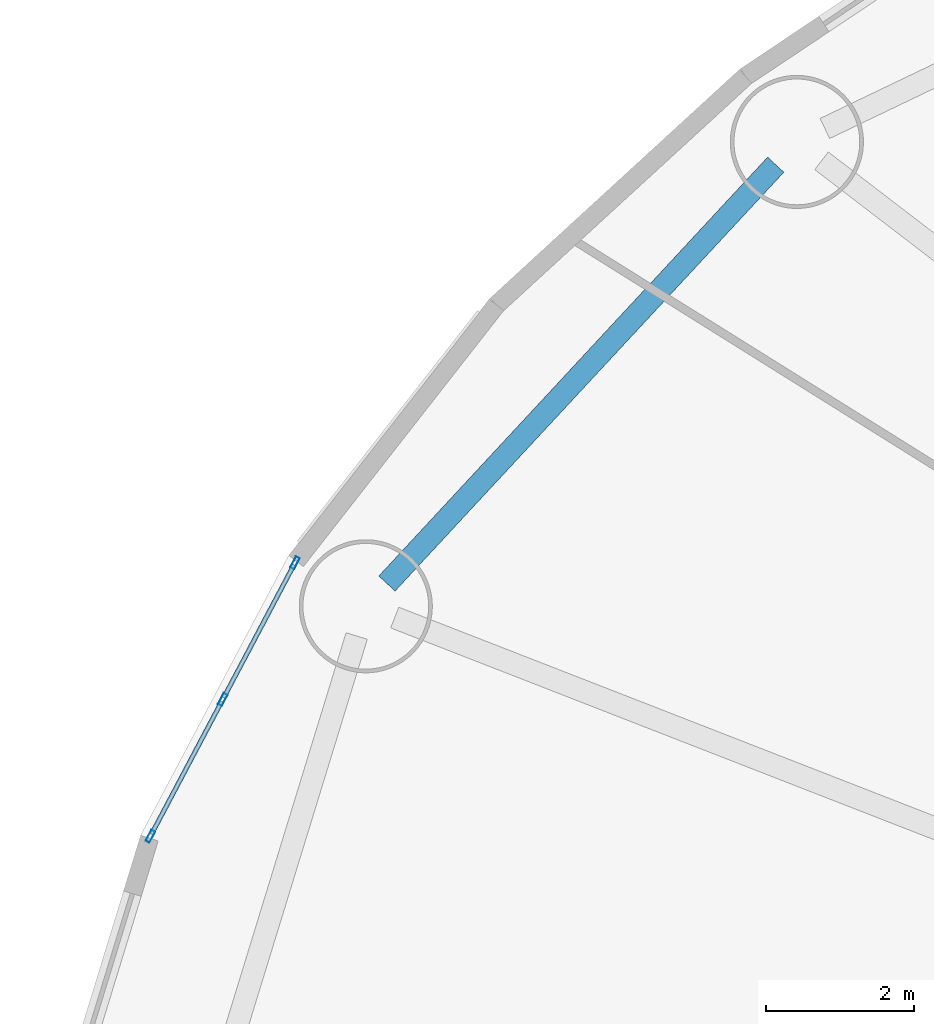
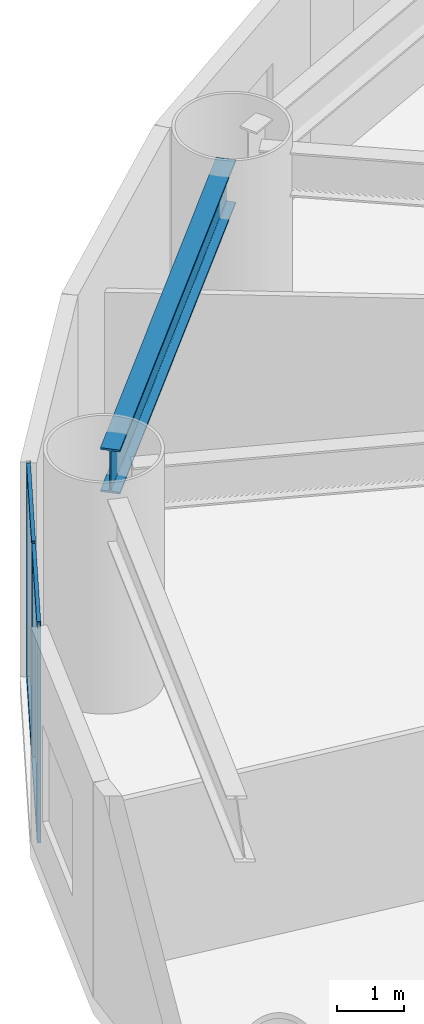
# One storey, part 8 of 27: 7 members, 1 beam, 1 element without a shape of its own.
"""IFC4 building model written with IfcOpenShell, lengths in metres."""

from ifc_helpers import new_model, si_unit, direction, frame, origin, origin_2d, place, context, subcontext, project, spatial, hollow_rectangle, i_section, extrude, source, transform, mapped, material, layer, layer_set, material_profile, profile_set, type_object, element, aggregate, save


model = new_model("IFC4")

# Units and contexts
model_context = context("Model", 3, precision=1e-05, world=origin(), true_north=direction((0.0, 1.0)))
body_context = subcontext(model_context, "Body", "Model", "MODEL_VIEW")
ifc_project = project(units=[si_unit("LENGTHUNIT", "METRE"), si_unit("AREAUNIT", "SQUARE_METRE"), si_unit("VOLUMEUNIT", "CUBIC_METRE"), si_unit("PLANEANGLEUNIT", "RADIAN"), si_unit("MASSUNIT", "GRAM", prefix="KILO")], contexts=[model_context])

# Site, building, storey
site_placement = place(None, origin())
site = spatial("IfcSite", under=ifc_project, at=site_placement, CompositionType="ELEMENT")
building_placement = place(site_placement, origin())
building = spatial("IfcBuilding", under=site, at=building_placement, Name="Linh Dai School and Residence Tower", CompositionType="ELEMENT")
storey_placement = place(building_placement, frame((0.0, 0.0, 14.39990234375)))
storey = spatial("IfcBuildingStorey", under=building, at=storey_placement, Name="L03", CompositionType="ELEMENT", Elevation=14.39990234375)

# Beam
ifc_material_1 = material(Name="Structural Steel S355JR", Category="steel")
ifc_material_profile_1 = material_profile(ifc_material_1, i_section(OverallWidth=0.300048828125, OverallDepth=0.800048828125, WebThickness=0.017578125, FlangeThickness=0.032958984375, FilletRadius=0.030029296875, at=origin_2d()), Name="HEB 800")
ifc_profile_set_1 = profile_set([ifc_material_profile_1], Name="Structural Steel S355JR")
beam_type = type_object("IfcBeamType", Name="BM-RG8", PredefinedType="BEAM", material=ifc_profile_set_1)
beam_placement = place(storey_placement, frame((13.009033203125, 44.0927734375, 3.5), z_axis=(-0.680345653715, -0.73289139132, 0.0), x_axis=(0.73289139132, -0.680345653715, 0.0)))
element("IfcBeam", 1, at=beam_placement, inside=storey, type_object=beam_type, Name="L03 Perimeter Elliptical Ring Beam 07", PredefinedType="BEAM", context=body_context, shape_type="SweptSolid", body=[
    extrude(i_section(OverallWidth=0.300048828125, OverallDepth=0.800048828125, WebThickness=0.017578125, FlangeThickness=0.032958984375, FilletRadius=0.030029296875, at=origin_2d()), origin(), (0.0, 0.0, 1.0), 7.726806640625),
])

# Curtain wall, members
ifc_material_2 = material(Name="Aluminium Anodised Curtain Wall", Category="aluminium")
ifc_layer = layer(ifc_material_2, 0.169921875)
ifc_layer_set = layer_set([ifc_layer], Name="Aluminium Anodised Curtain Wall")
curtain_wall_type = type_object("IfcCurtainWallType", Name="CW-SYS-2", PredefinedType="USERDEFINED", material=ifc_layer_set)
curtain_wall_placement = place(storey_placement, origin())
curtain_wall = element("IfcCurtainWall", 2, at=curtain_wall_placement, inside=storey, type_object=curtain_wall_type, Name="L03 CW2 Curtain Wall 18", ObjectType="UNITISED CURTAIN WALL", PredefinedType="USERDEFINED")
ifc_material_3 = material(Name="Aluminium Alloy 6063-T6", Category="aluminium")
ifc_material_profile_2 = material_profile(ifc_material_3, hollow_rectangle(XDim=0.06005859375, YDim=0.1298828125, WallThickness=0.00390625, at=origin_2d()), Name="RHS 130x60x4")
ifc_profile_set_2 = profile_set([ifc_material_profile_2], Name="Aluminium Alloy 6063-T6")
member_type_1 = type_object("IfcMemberType", Name="CW-SYS-2-TRN", PredefinedType="USERDEFINED", material=ifc_profile_set_2)
shared_shape_1 = source(origin(), body_context, "Body", "SweptSolid", [
    extrude(hollow_rectangle(XDim=0.06005859375, YDim=0.1298828125, WallThickness=0.00390625, at=origin_2d()), origin(), (0.0, 0.0, 1.0), 2.030517578125),
])
member_1_placement = place(storey_placement, frame((4.568359375, 35.03955078125, 0.030029296875), z_axis=(0.467583862208, 0.883948715596, 0.0), x_axis=(-0.883948715596, 0.467583862208, 0.0)))
member_1 = element("IfcMember", 3, at=member_1_placement, type_object=member_type_1, Name="CW2 transom 1.1", ObjectType="TRANSOM", PredefinedType="USERDEFINED", context=body_context, shape_type="MappedRepresentation", body=[
    mapped(shared_shape_1, transform((0.0, 0.0, 0.0), x_axis=(1.0, 0.0, 0.0), y_axis=(0.0, 1.0, 0.0), z_axis=(0.0, 0.0, 1.0), scale=1.0)),
])
member_2_placement = place(storey_placement, frame((4.568359375, 35.03955078125, 3.8701171875), z_axis=(0.467583862208, 0.883948715596, 0.0), x_axis=(-0.883948715596, 0.467583862208, 0.0)))
member_2 = element("IfcMember", 4, at=member_2_placement, type_object=member_type_1, Name="CW2 transom 1.2", ObjectType="TRANSOM", PredefinedType="USERDEFINED", context=body_context, shape_type="MappedRepresentation", body=[
    mapped(shared_shape_1, transform((0.0, 0.0, 0.0), x_axis=(1.0, 0.0, 0.0), y_axis=(0.0, 1.0, 0.0), z_axis=(0.0, 0.0, 1.0), scale=1.0)),
])
member_3_placement = place(storey_placement, frame((5.5458984375, 36.8876953125, 0.030029296875), z_axis=(0.467583862208, 0.883948715596, 0.0), x_axis=(-0.883948715596, 0.467583862208, 0.0)))
member_3 = element("IfcMember", 5, at=member_3_placement, type_object=member_type_1, Name="CW2 transom 2.1", ObjectType="TRANSOM", PredefinedType="USERDEFINED", context=body_context, shape_type="MappedRepresentation", body=[
    mapped(shared_shape_1, transform((0.0, 0.0, 0.0), x_axis=(1.0, 0.0, 0.0), y_axis=(0.0, 1.0, 0.0), z_axis=(0.0, 0.0, 1.0), scale=1.0)),
])
member_4_placement = place(storey_placement, frame((5.5458984375, 36.8876953125, 3.8701171875), z_axis=(0.467583862208, 0.883948715596, 0.0), x_axis=(-0.883948715596, 0.467583862208, 0.0)))
member_4 = element("IfcMember", 6, at=member_4_placement, type_object=member_type_1, Name="CW2 transom 2.2", ObjectType="TRANSOM", PredefinedType="USERDEFINED", context=body_context, shape_type="MappedRepresentation", body=[
    mapped(shared_shape_1, transform((0.0, 0.0, 0.0), x_axis=(1.0, 0.0, 0.0), y_axis=(0.0, 1.0, 0.0), z_axis=(0.0, 0.0, 1.0), scale=1.0)),
])
ifc_material_profile_3 = material_profile(ifc_material_3, hollow_rectangle(XDim=0.06005859375, YDim=0.169921875, WallThickness=0.00390625, at=origin_2d()), Name="RHS 170x60x4")
ifc_profile_set_3 = profile_set([ifc_material_profile_3], Name="Aluminium Alloy 6063-T6")
member_type_2 = type_object("IfcMemberType", Name="CW-SYS-2-MUL", PredefinedType="MULLION", material=ifc_profile_set_3)
shared_shape_2 = source(origin(), body_context, "Body", "SweptSolid", [
    extrude(hollow_rectangle(XDim=0.06005859375, YDim=0.169921875, WallThickness=0.00390625, at=origin_2d()), origin(), (0.0, 0.0, 1.0), 3.900146484375),
])
member_5_placement = place(storey_placement, frame((4.554443359375, 35.012939453125, 0.0), z_axis=(0.0, 0.0, 1.0), x_axis=(-0.883963927118, 0.467555104298, 0.0)))
member_5 = element("IfcMember", 7, at=member_5_placement, type_object=member_type_2, Name="CW2 mullion 1", PredefinedType="MULLION", context=body_context, shape_type="MappedRepresentation", body=[
    mapped(shared_shape_2, transform((0.0, 0.0, 0.0), x_axis=(1.0, 0.0, 0.0), y_axis=(0.0, 1.0, 0.0), z_axis=(0.0, 0.0, 1.0), scale=1.0)),
])
member_6_placement = place(storey_placement, frame((5.531982421875, 36.861083984375, 0.0), z_axis=(0.0, 0.0, 1.0), x_axis=(-0.883963927118, 0.467555104298, 0.0)))
member_6 = element("IfcMember", 8, at=member_6_placement, type_object=member_type_2, Name="CW2 mullion 2", PredefinedType="MULLION", context=body_context, shape_type="MappedRepresentation", body=[
    mapped(shared_shape_2, transform((0.0, 0.0, 0.0), x_axis=(1.0, 0.0, 0.0), y_axis=(0.0, 1.0, 0.0), z_axis=(0.0, 0.0, 1.0), scale=1.0)),
])
member_7_placement = place(storey_placement, frame((6.50927734375, 38.708984375, 0.0), z_axis=(0.0, 0.0, 1.0), x_axis=(-0.883963927118, 0.467555104298, 0.0)))
member_7 = element("IfcMember", 9, at=member_7_placement, type_object=member_type_2, Name="CW2 mullion 3", PredefinedType="MULLION", context=body_context, shape_type="MappedRepresentation", body=[
    mapped(shared_shape_2, transform((0.0, 0.0, 0.0), x_axis=(1.0, 0.0, 0.0), y_axis=(0.0, 1.0, 0.0), z_axis=(0.0, 0.0, 1.0), scale=1.0)),
])
aggregate(curtain_wall, [member_5, member_6, member_7, member_1, member_2, member_3, member_4])

save(model, "model.ifc")
